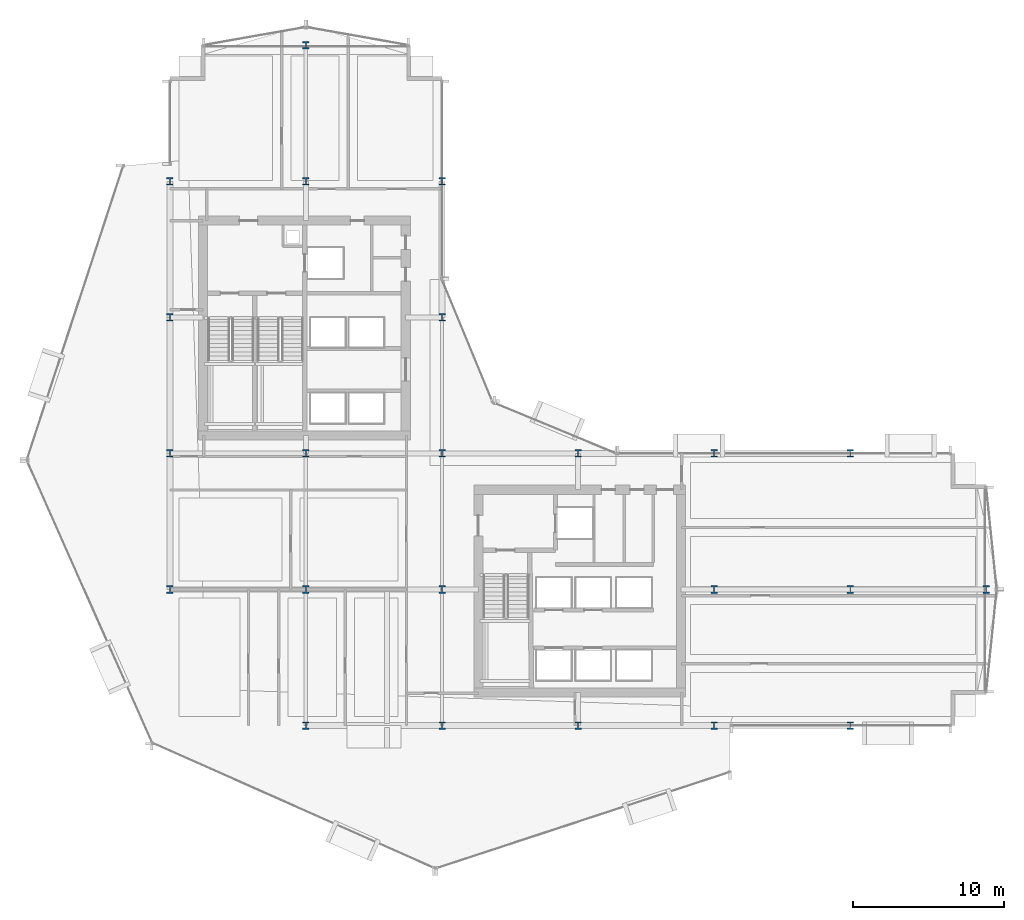
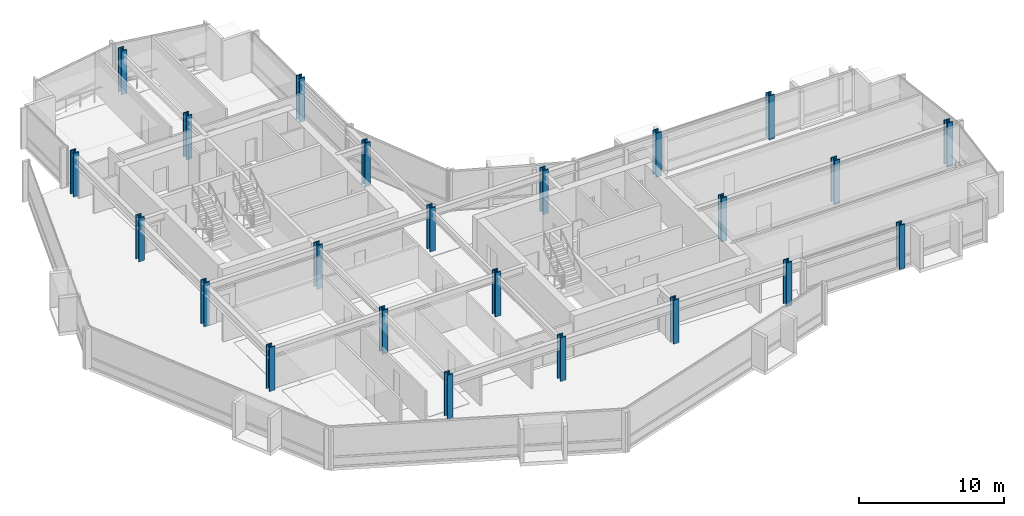
# One storey, part 1 of 34: 23 columns.
"""IFC4 building model written with IfcOpenShell, lengths in metres."""

import ifcopenshell
import ifcopenshell.guid

model = None  # the IFC model being written
_history = None  # IfcOwnerHistory: only IFC2X3 demands one
_inside = {}  # id of a spatial element -> (the spatial element, [elements in it])
_under = {}  # id of a project, library or spatial element -> (it, [spatial elements below it])
_declared = {}  # id of a project -> (the project, [libraries it declares])
_typed = {}  # id of a type object -> (the type object, [elements of that type])
_made_of = {}  # id of a material, layer set ... -> (it, [elements and type objects made of it])


def new_model(schema):
    """Start an empty IFC model of exactly this schema.

    Asked for "IFC4X3", IfcOpenShell would pick the latest addendum, in which some entities
    have other attributes; the version numbers below select the first issue.
    IFC2X3 requires an IfcOwnerHistory on every rooted entity: one is made here for all.
    """
    global model, _history
    if schema == "IFC4X3":
        model = ifcopenshell.file(schema_version=(4, 3, 0, 0))
    else:
        model = ifcopenshell.file(schema=schema)
    _inside.clear()
    _under.clear()
    _declared.clear()
    _typed.clear()
    _made_of.clear()
    _history = None
    if model.schema == "IFC2X3":
        org = make("IfcOrganization", Name="unknown")
        user = make(
            "IfcPersonAndOrganization",
            ThePerson=make("IfcPerson", FamilyName="unknown"),
            TheOrganization=org,
        )
        app = make(
            "IfcApplication",
            ApplicationDeveloper=org,
            Version="unknown",
            ApplicationFullName="unknown",
            ApplicationIdentifier="unknown",
        )
        _history = make(
            "IfcOwnerHistory",
            OwningUser=user,
            OwningApplication=app,
            ChangeAction="ADDED",
            CreationDate=0,
        )
    return model


def make(cls, **values):
    """One entity of the class cls with the attributes given. An attribute that is None is left unset."""
    return model.create_entity(
        cls, **{name: value for name, value in values.items() if value is not None}
    )


def rooted(cls, **values):
    """An entity with a GlobalId (a new one), such as an element, a storey or a relation."""
    return make(cls, GlobalId=ifcopenshell.guid.new(), OwnerHistory=_history, **values)


def si_unit(unit_type, name, prefix=None):
    """IfcSIUnit, for example si_unit("LENGTHUNIT", "METRE", prefix="MILLI")."""
    return make("IfcSIUnit", UnitType=unit_type, Prefix=prefix, Name=name)


def assignment(units):
    """IfcUnitAssignment: the units of a project."""
    return None if units is None else make("IfcUnitAssignment", Units=units)


def point(xyz):
    """IfcCartesianPoint."""
    return None if xyz is None else make("IfcCartesianPoint", Coordinates=xyz)


def direction(xyz):
    """IfcDirection."""
    return None if xyz is None else make("IfcDirection", DirectionRatios=xyz)


def frame(location, z_axis=None, x_axis=None):
    """IfcAxis2Placement3D, a coordinate frame: its origin and axes. An axis left out is left unset."""
    return make(
        "IfcAxis2Placement3D",
        Location=point(location),
        Axis=direction(z_axis),
        RefDirection=direction(x_axis),
    )


def frame_2d(location, x_axis=None):
    """IfcAxis2Placement2D, a coordinate frame in the plane: its origin and x axis."""
    return make(
        "IfcAxis2Placement2D", Location=point(location), RefDirection=direction(x_axis)
    )


def origin():
    """The frame at (0, 0, 0) with its axes left unset."""
    return frame((0.0, 0.0, 0.0))


def origin_2d():
    """The frame at (0, 0) in the plane with its x axis left unset."""
    return frame_2d((0.0, 0.0))


def place(relative_to, where):
    """IfcLocalPlacement: puts the frame where relative to a parent placement (None: the world)."""
    return make(
        "IfcLocalPlacement", PlacementRelTo=relative_to, RelativePlacement=where
    )


def context(
    kind, dimensions, precision=None, world=None, true_north=None, identifier=None
):
    """IfcGeometricRepresentationContext, for example the 3D "Model" context."""
    return make(
        "IfcGeometricRepresentationContext",
        ContextIdentifier=identifier,
        ContextType=kind,
        CoordinateSpaceDimension=dimensions,
        Precision=precision,
        WorldCoordinateSystem=world,
        TrueNorth=true_north,
    )


def subcontext(parent, identifier, kind, view, scale=None):
    """IfcGeometricRepresentationSubContext, for example "Body" below "Model"."""
    return make(
        "IfcGeometricRepresentationSubContext",
        ContextIdentifier=identifier,
        ContextType=kind,
        ParentContext=parent,
        TargetScale=scale,
        TargetView=view,
    )


def project(units=None, contexts=None):
    """IfcProject with its units and contexts."""
    return rooted(
        "IfcProject",
        Name="project",
        RepresentationContexts=contexts,
        UnitsInContext=assignment(units),
    )


def spatial(cls, under=None, at=None, **own):
    """A site, building, storey or space (cls), placed at a placement, below another one or the project."""
    s = rooted(cls, ObjectPlacement=at, **own)
    if under is not None:
        _under.setdefault(under.id(), (under, []))[1].append(s)
    return s


def profile(cls, at=None, kind="AREA", **sizes):
    """A parametric profile (cls). Its sizes go by their IFC names, for example OverallWidth=200.0."""
    return make(cls, ProfileType=kind, Position=at, **sizes)


def i_section(**sizes):
    """IfcIShapeProfileDef."""
    return profile("IfcIShapeProfileDef", **sizes)


def extrude(swept, where, along, depth):
    """IfcExtrudedAreaSolid: the profile swept, set in the frame where, extruded along a direction by depth."""
    return make(
        "IfcExtrudedAreaSolid",
        SweptArea=swept,
        Position=where,
        ExtrudedDirection=direction(along),
        Depth=depth,
    )


def shape(context_of_items, identifier, shape_type, items):
    """IfcShapeRepresentation: the items that make up one representation, for example the "Body"."""
    return make(
        "IfcShapeRepresentation",
        ContextOfItems=context_of_items,
        RepresentationIdentifier=identifier,
        RepresentationType=shape_type,
        Items=items,
    )


def material(Name=None, Category=None):
    """IfcMaterial."""
    return make("IfcMaterial", Name=Name, Category=Category)


def material_profile(
    of_material, cross_section, Name=None, Category=None, Priority=None
):
    """IfcMaterialProfile: a cross section and its material."""
    return make(
        "IfcMaterialProfile",
        Name=Name,
        Material=of_material,
        Profile=cross_section,
        Priority=Priority,
        Category=Category,
    )


def profile_set(profiles, Name=None, composite=None):
    """IfcMaterialProfileSet."""
    return make(
        "IfcMaterialProfileSet",
        Name=Name,
        MaterialProfiles=profiles,
        CompositeProfile=composite,
    )


def made_of(thing, what):
    """Note that an element or type object is made of a material, layer set ...; save() writes the relation."""
    if what is not None:
        _made_of.setdefault(what.id(), (what, []))[1].append(thing)
    return thing


def type_object(cls, material=None, **own):
    """A type object (cls), such as IfcWallType, which elements share."""
    return made_of(rooted(cls, **own), material)


def element(
    cls,
    number,
    at=None,
    inside=None,
    cuts=None,
    type_object=None,
    material=None,
    context=None,
    identifier="Body",
    shape_type=None,
    held_by="IfcProductDefinitionShape",
    body=None,
    shapes=None,
    **own,
):
    """One element of the class cls, such as IfcWall. Its Tag is "e" and its number.

    at: its placement. inside: the storey or other place that contains it. cuts: it is an
    opening in that element (IfcRelVoidsElement). A single representation is given by context,
    identifier, shape_type and body (its items); several are given by shapes. held_by: the class
    of the entity that holds the representations. save() writes the other relations.
    """
    e = rooted(cls, Tag="e%d" % number, ObjectPlacement=at, **own)
    if body is not None:
        shapes = [shape(context, identifier, shape_type, body)]
    if shapes is not None:
        e.Representation = make(held_by, Representations=shapes)
    if inside is not None:
        _inside.setdefault(inside.id(), (inside, []))[1].append(e)
    if cuts is not None:
        rooted(
            "IfcRelVoidsElement", RelatingBuildingElement=cuts, RelatedOpeningElement=e
        )
    if type_object is not None:
        _typed.setdefault(type_object.id(), (type_object, []))[1].append(e)
    return made_of(e, material)


def aggregate(whole, parts):
    """IfcRelAggregates: a whole, such as a stair, and the parts it consists of."""
    return rooted("IfcRelAggregates", RelatingObject=whole, RelatedObjects=parts)


def save(model, path):
    """Write the relations noted so far, then the file.

    IfcRelAggregates (storeys below a building ...), IfcRelContainedInSpatialStructure (elements
    in a storey), IfcRelDefinesByType, IfcRelAssociatesMaterial and IfcRelDeclares: one each for
    every whole, place, type object, material and project.
    """
    for whole, parts in _under.values():
        aggregate(whole, parts)
    for where, things in _inside.values():
        rooted(
            "IfcRelContainedInSpatialStructure",
            RelatedElements=things,
            RelatingStructure=where,
        )
    for kind, things in _typed.values():
        rooted("IfcRelDefinesByType", RelatedObjects=things, RelatingType=kind)
    for what, things in _made_of.values():
        rooted("IfcRelAssociatesMaterial", RelatedObjects=things, RelatingMaterial=what)
    for by, libraries in _declared.values():
        rooted("IfcRelDeclares", RelatingContext=by, RelatedDefinitions=libraries)
    model.write(path)


model = new_model("IFC4")

# Units and contexts
model_context = context("Model", 3, precision=1e-05, world=origin(), true_north=direction((0.0, 1.0)))
body_context = subcontext(model_context, "Body", "Model", "MODEL_VIEW")
ifc_project = project(units=[si_unit("LENGTHUNIT", "METRE"), si_unit("AREAUNIT", "SQUARE_METRE"), si_unit("VOLUMEUNIT", "CUBIC_METRE"), si_unit("PLANEANGLEUNIT", "RADIAN"), si_unit("MASSUNIT", "GRAM", prefix="KILO")], contexts=[model_context])

# Site, building, storey
site_placement = place(None, origin())
site = spatial("IfcSite", under=ifc_project, at=site_placement, CompositionType="ELEMENT")
building_placement = place(site_placement, origin())
building = spatial("IfcBuilding", under=site, at=building_placement, Name="Solvaryn Broadcast Tower", CompositionType="ELEMENT")
storey_placement = place(building_placement, frame((0.0, 0.0, 47.10009765625)))
storey = spatial("IfcBuildingStorey", under=building, at=storey_placement, Name="L10", CompositionType="ELEMENT", Elevation=47.10009765625)

# Columns
ifc_material_1 = material(Name="Steel ASTM A913 Grade 65", Category="steel")
ifc_material_profile_1 = material_profile(ifc_material_1, i_section(OverallWidth=0.431884765625, OverallDepth=0.498046875, WebThickness=0.0556640625, FlangeThickness=0.0888671875, FilletRadius=0.014892578125, at=origin_2d()))
ifc_profile_set_1 = profile_set([ifc_material_profile_1], Name="Steel ASTM A913 Grade 65")
column_type_1 = type_object("IfcColumnType", Name="COL-C03E-W14X500", PredefinedType="COLUMN", material=ifc_profile_set_1)
for number, where, z_axis, x_axis, name in (
    (1, (9.0, 18.0, 0.0), (0.0, 0.0, 1.0), (1.0, 0.0, 0.0), "L10 Column (9.0, 18.0)"),
    (2, (9.0, 27.0, 0.0), (0.0, 0.0, 1.0), (1.0, 0.0, 0.0), "L10 Column (9.0, 27.0)"),
    (3, (9.0, 36.0, 0.0), (0.0, 0.0, 1.0), (1.0, 0.0, 0.0), "L10 Column (9.0, 36.0)"),
    (4, (9.0, 45.0, 0.0), (0.0, 0.0, 1.0), (1.0, 0.0, 0.0), "L10 Column (9.0, 45.0)"),
    (5, (18.0, 9.0, 0.0), (0.0, 0.0, 1.0), (1.0, 0.0, 0.0), "L10 Column (18.0, 9.0)"),
    (6, (18.0, 54.0, 0.0), (0.0, 0.0, 1.0), (1.0, 0.0, 0.0), "L10 Column (18.0, 54.0)"),
    (7, (27.0, 9.0, 0.0), (0.0, 0.0, 1.0), (1.0, 0.0, 0.0), "L10 Column (27.0, 9.0)"),
    (8, (27.0, 36.0, 0.0), (0.0, 0.0, 1.0), (1.0, 0.0, 0.0), "L10 Column (27.0, 36.0)"),
    (9, (27.0, 45.0, 0.0), (0.0, 0.0, 1.0), (1.0, 0.0, 0.0), "L10 Column (27.0, 45.0)"),
    (10, (36.0, 9.0, 0.0), (0.0, 0.0, 1.0), (1.0, 0.0, 0.0), "L10 Column (36.0, 9.0)"),
    (11, (36.0, 27.0, 0.0), (0.0, 0.0, 1.0), (1.0, 0.0, 0.0), "L10 Column (36.0, 27.0)"),
    (12, (45.0, 9.0, 0.0), (0.0, 0.0, 1.0), (1.0, 0.0, 0.0), "L10 Column (45.0, 9.0)"),
    (13, (45.0, 27.0, 0.0), (0.0, 0.0, 1.0), (1.0, 0.0, 0.0), "L10 Column (45.0, 27.0)"),
    (14, (54.0, 9.0, 0.0), (0.0, 0.0, 1.0), (1.0, 0.0, 0.0), "L10 Column (54.0, 9.0)"),
    (15, (54.0, 27.0, 0.0), (0.0, 0.0, 1.0), (1.0, 0.0, 0.0), "L10 Column (54.0, 27.0)"),
    (16, (63.0, 18.0, 0.0), (0.0, 0.0, 1.0), (1.0, 0.0, 0.0), "L10 Column (63.0, 18.0)"),
):
    element("IfcColumn", number, at=place(storey_placement, frame(where, z_axis=z_axis, x_axis=x_axis)), inside=storey, type_object=column_type_1, Name=name, PredefinedType="COLUMN", context=body_context, shape_type="SweptSolid", body=[
        extrude(i_section(OverallWidth=0.431884765625, OverallDepth=0.498046875, WebThickness=0.0556640625, FlangeThickness=0.0888671875, FilletRadius=0.014892578125, at=origin_2d()), origin(), (0.0, 0.0, 1.0), 3.699951171875),
    ])
ifc_material_2 = material(Name="Steel ASTM A913 Grade 65", Category="steel")
ifc_material_profile_2 = material_profile(ifc_material_2, i_section(OverallWidth=0.431884765625, OverallDepth=0.498046875, WebThickness=0.0556640625, FlangeThickness=0.0888671875, FilletRadius=0.014892578125, at=origin_2d()))
ifc_profile_set_2 = profile_set([ifc_material_profile_2], Name="Steel ASTM A913 Grade 65")
column_type_2 = type_object("IfcColumnType", Name="COL-C03I-W14X500", PredefinedType="COLUMN", material=ifc_profile_set_2)
for number, where, z_axis, x_axis, name in (
    (17, (18.0, 18.0, 0.0), (0.0, 0.0, 1.0), (1.0, 0.0, 0.0), "L10 Column (18.0, 18.0)"),
    (18, (18.0, 27.0, 0.0), (0.0, 0.0, 1.0), (1.0, 0.0, 0.0), "L10 Column (18.0, 27.0)"),
    (19, (18.0, 45.0, 0.0), (0.0, 0.0, 1.0), (1.0, 0.0, 0.0), "L10 Column (18.0, 45.0)"),
    (20, (27.0, 18.0, 0.0), (0.0, 0.0, 1.0), (1.0, 0.0, 0.0), "L10 Column (27.0, 18.0)"),
    (21, (27.0, 27.0, 0.0), (0.0, 0.0, 1.0), (1.0, 0.0, 0.0), "L10 Column (27.0, 27.0)"),
    (22, (45.0, 18.0, 0.0), (0.0, 0.0, 1.0), (1.0, 0.0, 0.0), "L10 Column (45.0, 18.0)"),
    (23, (54.0, 18.0, 0.0), (0.0, 0.0, 1.0), (1.0, 0.0, 0.0), "L10 Column (54.0, 18.0)"),
):
    element("IfcColumn", number, at=place(storey_placement, frame(where, z_axis=z_axis, x_axis=x_axis)), inside=storey, type_object=column_type_2, Name=name, PredefinedType="COLUMN", context=body_context, shape_type="SweptSolid", body=[
        extrude(i_section(OverallWidth=0.431884765625, OverallDepth=0.498046875, WebThickness=0.0556640625, FlangeThickness=0.0888671875, FilletRadius=0.014892578125, at=origin_2d()), origin(), (0.0, 0.0, 1.0), 3.699951171875),
    ])

save(model, "model.ifc")
